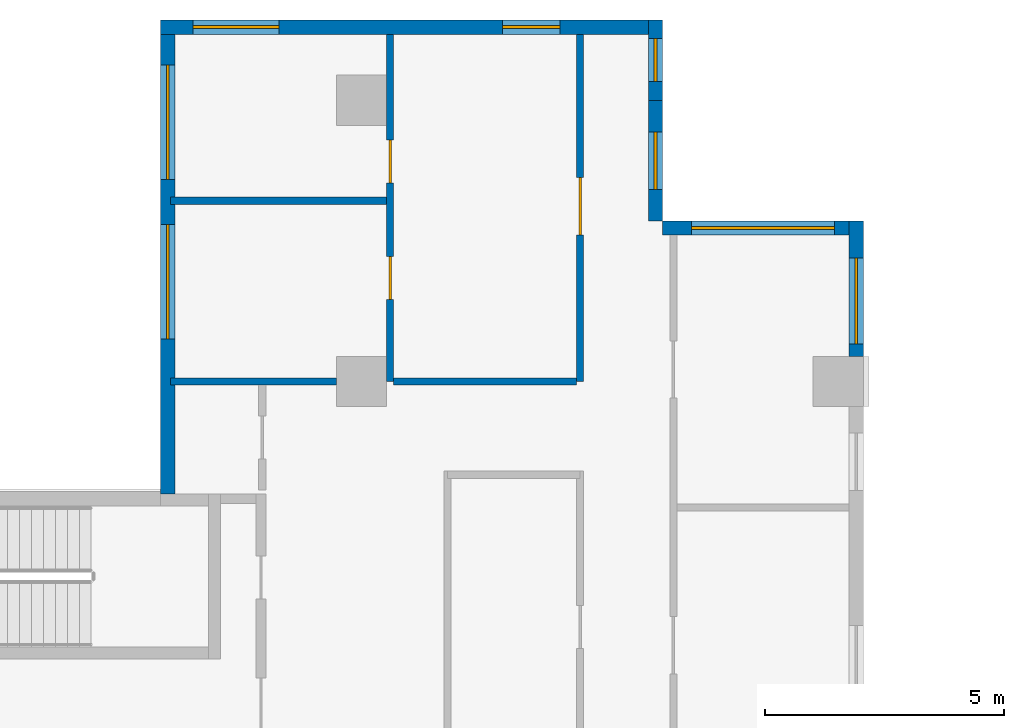
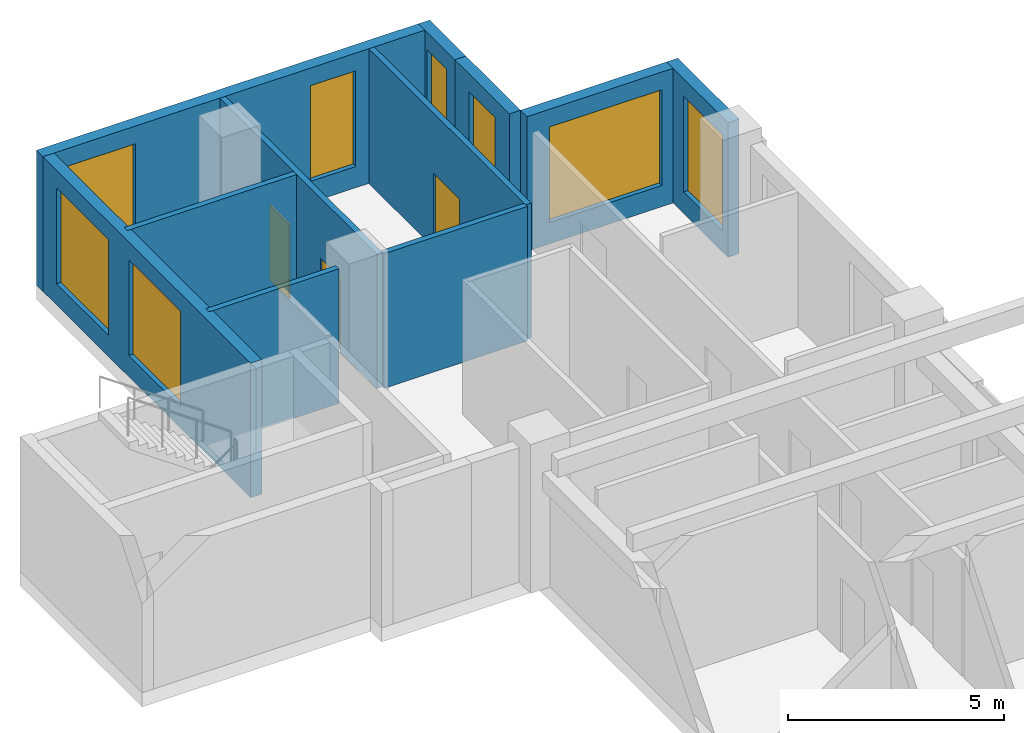
# One storey, part 7 of 14: 11 walls, 8 windows, 3 doors, 11 openings.
"""IFC4 building model written with IfcOpenShell, lengths in metres."""

from ifc_helpers import new_model, si_unit, direction, frame, frame_2d, origin, place, context, subcontext, project, spatial, rectangle, extrude, source, transform, mapped, material, layer, layer_set, type_object, element, fill, save


model = new_model("IFC4")

# Units and contexts
model_context = context("Model", 3, precision=1e-05, world=origin(), true_north=direction((0.0, 1.0)))
body_context = subcontext(model_context, "Body", "Model", "MODEL_VIEW")
ifc_project = project(units=[si_unit("LENGTHUNIT", "METRE"), si_unit("AREAUNIT", "SQUARE_METRE"), si_unit("VOLUMEUNIT", "CUBIC_METRE"), si_unit("PLANEANGLEUNIT", "RADIAN"), si_unit("MASSUNIT", "GRAM", prefix="KILO")], contexts=[model_context])

# Site, building, storey
site_placement = place(None, origin())
site = spatial("IfcSite", under=ifc_project, at=site_placement, CompositionType="ELEMENT")
building_placement = place(site_placement, origin())
building = spatial("IfcBuilding", under=site, at=building_placement, Name="Aurelian Terraces", CompositionType="ELEMENT")
storey_placement = place(building_placement, frame((0.0, 0.0, 128.7)))
storey = spatial("IfcBuildingStorey", under=building, at=storey_placement, Name="L28", CompositionType="ELEMENT", Elevation=128.7)

# Wall, opening, window
ifc_material_1 = material(Name="Terracotta rainscreen cladding", Category="masonry")
ifc_layer_1 = layer(ifc_material_1, 0.3)
ifc_layer_set_1 = layer_set([ifc_layer_1], Name="EW-300")
wall_type_1 = type_object("IfcWallType", Name="EW-300", PredefinedType="STANDARD", material=ifc_layer_set_1)
shared_shape_1 = source(origin(), body_context, "Body", "SweptSolid", [
    extrude(rectangle(XDim=4.2, YDim=0.3, at=frame_2d((2.1, 0.0))), origin(), (0.0, 0.0, 1.0), 3.8),
])
wall_1_placement = place(storey_placement, frame((21.0, 49.41, 0.0), z_axis=(0.0, 0.0, 1.0), x_axis=(-1.0, 0.0, 0.0)))
wall_1 = element("IfcWall", 1, at=wall_1_placement, inside=storey, type_object=wall_type_1, Name="External wall L28 F09.29", PredefinedType="STANDARD", context=body_context, shape_type="MappedRepresentation", body=[
    mapped(shared_shape_1, transform((0.0, 0.0, 0.0), scale=1.0)),
])
shared_shape_2 = source(origin(), body_context, "Body", "SweptSolid", [
    extrude(rectangle(XDim=3.0, YDim=2.7, at=frame_2d((1.5, 1.35))), frame((0.0, 0.16, 0.0), z_axis=(0.0, -1.0, 0.0), x_axis=(1.0, 0.0, 0.0)), (0.0, 0.0, 1.0), 0.32),
])
opening_1_placement = place(wall_1_placement, frame((0.6, 0.0, 0.6)))
opening_1 = element("IfcOpeningElement", 2, at=opening_1_placement, cuts=wall_1, Name="Opening W3027", PredefinedType="OPENING", context=body_context, shape_type="MappedRepresentation", body=[
    mapped(shared_shape_2, transform((0.0, 0.0, 0.0), scale=1.0)),
])
ifc_material_2 = material(Name="Clear glazing", Category="glass")
window_type_1 = type_object("IfcWindowType", Name="W-3000x2700", PartitioningType="SINGLE_PANEL", PredefinedType="WINDOW", material=ifc_material_2)
shared_shape_3 = source(origin(), body_context, "Body", "SweptSolid", [
    extrude(rectangle(XDim=3.0, YDim=2.7, at=frame_2d((1.5, 1.35))), frame((0.0, 0.03, 0.0), z_axis=(0.0, -1.0, 0.0), x_axis=(1.0, 0.0, 0.0)), (0.0, 0.0, 1.0), 0.06),
])
window_1_placement = place(opening_1_placement, origin())
window_1 = element("IfcWindow", 3, at=window_1_placement, inside=storey, type_object=window_type_1, Name="Window L28 L28-F09-29-0", OverallHeight=2.7, OverallWidth=3.0, PartitioningType="SINGLE_PANEL", PredefinedType="WINDOW", context=body_context, shape_type="MappedRepresentation", body=[
    mapped(shared_shape_3, transform((0.0, 0.0, 0.0), scale=1.0)),
])
fill(opening_1, window_1)

shared_shape_4 = source(origin(), body_context, "Body", "SweptSolid", [
    extrude(rectangle(XDim=2.52, YDim=0.3, at=frame_2d((1.26, 0.0))), origin(), (0.0, 0.0, 1.0), 3.8),
])
wall_2_placement = place(storey_placement, frame((16.65, 49.56, 0.0), z_axis=(0.0, 0.0, 1.0), x_axis=(0.0, 1.0, 0.0)))
wall_2 = element("IfcWall", 4, at=wall_2_placement, inside=storey, type_object=wall_type_1, Name="External wall L28 F10.30", PredefinedType="STANDARD", context=body_context, shape_type="MappedRepresentation", body=[
    mapped(shared_shape_4, transform((0.0, 0.0, 0.0), scale=1.0)),
])
shared_shape_5 = source(origin(), body_context, "Body", "SweptSolid", [
    extrude(rectangle(XDim=1.2, YDim=2.7, at=frame_2d((0.6, 1.35))), frame((0.0, 0.16, 0.0), z_axis=(0.0, -1.0, 0.0), x_axis=(1.0, 0.0, 0.0)), (0.0, 0.0, 1.0), 0.32),
])
opening_2_placement = place(wall_2_placement, frame((0.66, 0.0, 0.6)))
opening_2 = element("IfcOpeningElement", 5, at=opening_2_placement, cuts=wall_2, Name="Opening W1227", PredefinedType="OPENING", context=body_context, shape_type="MappedRepresentation", body=[
    mapped(shared_shape_5, transform((0.0, 0.0, 0.0), scale=1.0)),
])
window_type_2 = type_object("IfcWindowType", Name="W-1200x2700", PartitioningType="SINGLE_PANEL", PredefinedType="WINDOW", material=ifc_material_2)
shared_shape_6 = source(origin(), body_context, "Body", "SweptSolid", [
    extrude(rectangle(XDim=1.2, YDim=2.7, at=frame_2d((0.6, 1.35))), frame((0.0, 0.03, 0.0), z_axis=(0.0, -1.0, 0.0), x_axis=(1.0, 0.0, 0.0)), (0.0, 0.0, 1.0), 0.06),
])
window_2_placement = place(opening_2_placement, origin())
window_2 = element("IfcWindow", 6, at=window_2_placement, inside=storey, type_object=window_type_2, Name="Window L28 L28-F10-30-0", OverallHeight=2.7, OverallWidth=1.2, PartitioningType="SINGLE_PANEL", PredefinedType="WINDOW", context=body_context, shape_type="MappedRepresentation", body=[
    mapped(shared_shape_6, transform((0.0, 0.0, 0.0), scale=1.0)),
])
fill(opening_2, window_2)

shared_shape_7 = source(origin(), body_context, "Body", "SweptSolid", [
    extrude(rectangle(XDim=1.68, YDim=0.3, at=frame_2d((0.84, 0.0))), origin(), (0.0, 0.0, 1.0), 3.8),
])
wall_3_placement = place(storey_placement, frame((16.65, 52.08, 0.0), z_axis=(0.0, 0.0, 1.0), x_axis=(0.0, 1.0, 0.0)))
wall_3 = element("IfcWall", 7, at=wall_3_placement, inside=storey, type_object=wall_type_1, Name="External wall L28 F10.31", PredefinedType="STANDARD", context=body_context, shape_type="MappedRepresentation", body=[
    mapped(shared_shape_7, transform((0.0, 0.0, 0.0), scale=1.0)),
])
shared_shape_8 = source(origin(), body_context, "Body", "SweptSolid", [
    extrude(rectangle(XDim=0.9, YDim=2.7, at=frame_2d((0.45, 1.35))), frame((0.0, 0.16, 0.0), z_axis=(0.0, -1.0, 0.0), x_axis=(1.0, 0.0, 0.0)), (0.0, 0.0, 1.0), 0.32),
])
opening_3_placement = place(wall_3_placement, frame((0.39, 0.0, 0.6)))
opening_3 = element("IfcOpeningElement", 8, at=opening_3_placement, cuts=wall_3, Name="Opening W0927", PredefinedType="OPENING", context=body_context, shape_type="MappedRepresentation", body=[
    mapped(shared_shape_8, transform((0.0, 0.0, 0.0), scale=1.0)),
])
window_type_3 = type_object("IfcWindowType", Name="W-900x2700", PartitioningType="SINGLE_PANEL", PredefinedType="WINDOW", material=ifc_material_2)
shared_shape_9 = source(origin(), body_context, "Body", "SweptSolid", [
    extrude(rectangle(XDim=0.9, YDim=2.7, at=frame_2d((0.45, 1.35))), frame((0.0, 0.03, 0.0), z_axis=(0.0, -1.0, 0.0), x_axis=(1.0, 0.0, 0.0)), (0.0, 0.0, 1.0), 0.06),
])
window_3_placement = place(opening_3_placement, origin())
window_3 = element("IfcWindow", 9, at=window_3_placement, inside=storey, type_object=window_type_3, Name="Window L28 L28-F10-31-P0", OverallHeight=2.7, OverallWidth=0.9, PartitioningType="SINGLE_PANEL", PredefinedType="WINDOW", context=body_context, shape_type="MappedRepresentation", body=[
    mapped(shared_shape_9, transform((0.0, 0.0, 0.0), scale=1.0)),
])
fill(opening_3, window_3)

shared_shape_10 = source(origin(), body_context, "Body", "SweptSolid", [
    extrude(rectangle(XDim=2.835, YDim=0.3, at=frame_2d((1.4175, 0.0))), origin(), (0.0, 0.0, 1.0), 3.8),
])
wall_4_placement = place(storey_placement, frame((20.85, 46.725, 0.0), z_axis=(0.0, 0.0, 1.0), x_axis=(0.0, 1.0, 0.0)))
wall_4 = element("IfcWall", 10, at=wall_4_placement, inside=storey, type_object=wall_type_1, Name="External wall L28 F08.28", PredefinedType="STANDARD", context=body_context, shape_type="MappedRepresentation", body=[
    mapped(shared_shape_10, transform((0.0, 0.0, 0.0), scale=1.0)),
])
shared_shape_11 = source(origin(), body_context, "Body", "SweptSolid", [
    extrude(rectangle(XDim=1.8, YDim=2.7, at=frame_2d((0.9, 1.35))), frame((0.0, 0.16, 0.0), z_axis=(0.0, -1.0, 0.0), x_axis=(1.0, 0.0, 0.0)), (0.0, 0.0, 1.0), 0.32),
])
opening_4_placement = place(wall_4_placement, frame((0.255, 0.0, 0.6)))
opening_4 = element("IfcOpeningElement", 11, at=opening_4_placement, cuts=wall_4, Name="Opening W1827", PredefinedType="OPENING", context=body_context, shape_type="MappedRepresentation", body=[
    mapped(shared_shape_11, transform((0.0, 0.0, 0.0), scale=1.0)),
])
window_type_4 = type_object("IfcWindowType", Name="W-1800x2700", PartitioningType="SINGLE_PANEL", PredefinedType="WINDOW", material=ifc_material_2)
shared_shape_12 = source(origin(), body_context, "Body", "SweptSolid", [
    extrude(rectangle(XDim=1.8, YDim=2.7, at=frame_2d((0.9, 1.35))), frame((0.0, 0.03, 0.0), z_axis=(0.0, -1.0, 0.0), x_axis=(1.0, 0.0, 0.0)), (0.0, 0.0, 1.0), 0.06),
])
window_4_placement = place(opening_4_placement, origin())
window_4 = element("IfcWindow", 12, at=window_4_placement, inside=storey, type_object=window_type_4, Name="Window L28 L28-F08-28-0", OverallHeight=2.7, OverallWidth=1.8, PartitioningType="SINGLE_PANEL", PredefinedType="WINDOW", context=body_context, shape_type="MappedRepresentation", body=[
    mapped(shared_shape_12, transform((0.0, 0.0, 0.0), scale=1.0)),
])
fill(opening_4, window_4)

# Wall, openings, windows
shared_shape_13 = source(origin(), body_context, "Body", "SweptSolid", [
    extrude(rectangle(XDim=10.5, YDim=0.3, at=frame_2d((5.25, 0.0))), origin(), (0.0, 0.0, 1.0), 3.8),
])
wall_5_placement = place(storey_placement, frame((16.8, 53.61, 0.0), z_axis=(0.0, 0.0, 1.0), x_axis=(-1.0, 0.0, 0.0)))
wall_5 = element("IfcWall", 13, at=wall_5_placement, inside=storey, type_object=wall_type_1, Name="External wall L28 F11.32", PredefinedType="STANDARD", context=body_context, shape_type="MappedRepresentation", body=[
    mapped(shared_shape_13, transform((0.0, 0.0, 0.0), scale=1.0)),
])
opening_5_placement = place(wall_5_placement, frame((2.15, 0.0, 0.6)))
opening_5 = element("IfcOpeningElement", 14, at=opening_5_placement, cuts=wall_5, Name="Opening W1227", PredefinedType="OPENING", context=body_context, shape_type="MappedRepresentation", body=[
    mapped(shared_shape_5, transform((0.0, 0.0, 0.0), scale=1.0)),
])
opening_6_placement = place(wall_5_placement, frame((8.025, 0.0, 0.6)))
opening_6 = element("IfcOpeningElement", 15, at=opening_6_placement, cuts=wall_5, Name="Opening W1827", PredefinedType="OPENING", context=body_context, shape_type="MappedRepresentation", body=[
    mapped(shared_shape_11, transform((0.0, 0.0, 0.0), scale=1.0)),
])
window_5_placement = place(opening_6_placement, origin())
window_5 = element("IfcWindow", 16, at=window_5_placement, inside=storey, type_object=window_type_4, Name="Window L28 L28-F11-32-2", OverallHeight=2.7, OverallWidth=1.8, PartitioningType="SINGLE_PANEL", PredefinedType="WINDOW", context=body_context, shape_type="MappedRepresentation", body=[
    mapped(shared_shape_12, transform((0.0, 0.0, 0.0), scale=1.0)),
])
fill(opening_6, window_5)
window_6_placement = place(opening_5_placement, origin())
window_6 = element("IfcWindow", 17, at=window_6_placement, inside=storey, type_object=window_type_2, Name="Window L28 L28-F11-32-0", OverallHeight=2.7, OverallWidth=1.2, PartitioningType="SINGLE_PANEL", PredefinedType="WINDOW", context=body_context, shape_type="MappedRepresentation", body=[
    mapped(shared_shape_6, transform((0.0, 0.0, 0.0), scale=1.0)),
])
fill(opening_5, window_6)

shared_shape_14 = source(origin(), body_context, "Body", "SweptSolid", [
    extrude(rectangle(XDim=9.91, YDim=0.3, at=frame_2d((4.955, 0.0))), origin(), (0.0, 0.0, 1.0), 3.8),
])
wall_6_placement = place(storey_placement, frame((6.45, 53.76, 0.0), z_axis=(0.0, 0.0, 1.0), x_axis=(0.0, -1.0, 0.0)))
wall_6 = element("IfcWall", 18, at=wall_6_placement, inside=storey, type_object=wall_type_1, Name="External wall L28 F12.33", PredefinedType="STANDARD", context=body_context, shape_type="MappedRepresentation", body=[
    mapped(shared_shape_14, transform((0.0, 0.0, 0.0), scale=1.0)),
])
shared_shape_15 = source(origin(), body_context, "Body", "SweptSolid", [
    extrude(rectangle(XDim=2.4, YDim=2.7, at=frame_2d((1.2, 1.35))), frame((0.0, 0.16, 0.0), z_axis=(0.0, -1.0, 0.0), x_axis=(1.0, 0.0, 0.0)), (0.0, 0.0, 1.0), 0.32),
])
opening_7_placement = place(wall_6_placement, frame((4.2725, 0.0, 0.6)))
opening_7 = element("IfcOpeningElement", 19, at=opening_7_placement, cuts=wall_6, Name="Opening W2427", PredefinedType="OPENING", context=body_context, shape_type="MappedRepresentation", body=[
    mapped(shared_shape_15, transform((0.0, 0.0, 0.0), scale=1.0)),
])
opening_8_placement = place(wall_6_placement, frame((0.9363, 0.0, 0.6)))
opening_8 = element("IfcOpeningElement", 20, at=opening_8_placement, cuts=wall_6, Name="Opening W2427", PredefinedType="OPENING", context=body_context, shape_type="MappedRepresentation", body=[
    mapped(shared_shape_15, transform((0.0, 0.0, 0.0), scale=1.0)),
])
window_type_5 = type_object("IfcWindowType", Name="W-2400x2700", PartitioningType="SINGLE_PANEL", PredefinedType="WINDOW", material=ifc_material_2)
shared_shape_16 = source(origin(), body_context, "Body", "SweptSolid", [
    extrude(rectangle(XDim=2.4, YDim=2.7, at=frame_2d((1.2, 1.35))), frame((0.0, 0.03, 0.0), z_axis=(0.0, -1.0, 0.0), x_axis=(1.0, 0.0, 0.0)), (0.0, 0.0, 1.0), 0.06),
])
window_7_placement = place(opening_7_placement, origin())
window_7 = element("IfcWindow", 21, at=window_7_placement, inside=storey, type_object=window_type_5, Name="Window L28 L28-F12-33-1", OverallHeight=2.7, OverallWidth=2.4, PartitioningType="SINGLE_PANEL", PredefinedType="WINDOW", context=body_context, shape_type="MappedRepresentation", body=[
    mapped(shared_shape_16, transform((0.0, 0.0, 0.0), scale=1.0)),
])
fill(opening_7, window_7)
window_8_placement = place(opening_8_placement, origin())
window_8 = element("IfcWindow", 22, at=window_8_placement, inside=storey, type_object=window_type_5, Name="Window L28 L28-F12-33-G0-0", OverallHeight=2.7, OverallWidth=2.4, PartitioningType="SINGLE_PANEL", PredefinedType="WINDOW", context=body_context, shape_type="MappedRepresentation", body=[
    mapped(shared_shape_16, transform((0.0, 0.0, 0.0), scale=1.0)),
])
fill(opening_8, window_8)

# Wall, openings, doors
ifc_material_3 = material(Name="Gypsum board on steel studs", Category="steel")
ifc_layer_2 = layer(ifc_material_3, 0.15)
ifc_layer_set_2 = layer_set([ifc_layer_2], Name="Partition 150")
wall_type_2 = type_object("IfcWallType", Name="Partition 150", PredefinedType="PARTITIONING", material=ifc_layer_set_2)
shared_shape_17 = source(origin(), body_context, "Body", "SweptSolid", [
    extrude(rectangle(XDim=7.26, YDim=0.15, at=frame_2d((3.63, 0.0))), origin(), (0.0, 0.0, 1.0), 3.8),
])
wall_7_placement = place(storey_placement, frame((11.1, 46.2, 0.0), z_axis=(0.0, 0.0, 1.0), x_axis=(0.0, 1.0, 0.0)))
wall_7 = element("IfcWall", 23, at=wall_7_placement, inside=storey, type_object=wall_type_2, Name="Partition", PredefinedType="PARTITIONING", context=body_context, shape_type="MappedRepresentation", body=[
    mapped(shared_shape_17, transform((0.0, 0.0, 0.0), scale=1.0)),
])
shared_shape_18 = source(origin(), body_context, "Body", "SweptSolid", [
    extrude(rectangle(XDim=0.9, YDim=2.1, at=frame_2d((0.45, 1.05))), frame((0.0, 0.085, 0.0), z_axis=(0.0, -1.0, 0.0), x_axis=(1.0, 0.0, 0.0)), (0.0, 0.0, 1.0), 0.17),
])
opening_9_placement = place(wall_7_placement, frame((1.715, 0.0, 0.0)))
opening_9 = element("IfcOpeningElement", 24, at=opening_9_placement, cuts=wall_7, Name="Opening 728035", PredefinedType="OPENING", context=body_context, shape_type="MappedRepresentation", body=[
    mapped(shared_shape_18, transform((0.0, 0.0, 0.0), scale=1.0)),
])
opening_10_placement = place(wall_7_placement, frame((4.155, 0.0, 0.0)))
opening_10 = element("IfcOpeningElement", 25, at=opening_10_placement, cuts=wall_7, Name="Opening 728036", PredefinedType="OPENING", context=body_context, shape_type="MappedRepresentation", body=[
    mapped(shared_shape_18, transform((0.0, 0.0, 0.0), scale=1.0)),
])
ifc_material_4 = material(Name="Timber door leaf", Category="wood")
door_type_1 = type_object("IfcDoorType", Name="Room door 900x2100 left", OperationType="SINGLE_SWING_LEFT", PredefinedType="DOOR", material=ifc_material_4)
shared_shape_19 = source(origin(), body_context, "Body", "SweptSolid", [
    extrude(rectangle(XDim=0.9, YDim=2.1, at=frame_2d((0.45, 1.05))), frame((0.0, 0.025, 0.0), z_axis=(0.0, -1.0, 0.0), x_axis=(1.0, 0.0, 0.0)), (0.0, 0.0, 1.0), 0.05),
])
door_1_placement = place(opening_9_placement, origin())
door_1 = element("IfcDoor", 26, at=door_1_placement, inside=storey, type_object=door_type_1, Name="Door 728035", OperationType="SINGLE_SWING_LEFT", OverallHeight=2.1, OverallWidth=0.9, PredefinedType="DOOR", context=body_context, shape_type="MappedRepresentation", body=[
    mapped(shared_shape_19, transform((0.0, 0.0, 0.0), scale=1.0)),
])
fill(opening_9, door_1)
door_type_2 = type_object("IfcDoorType", Name="Room door 900x2100 right", OperationType="SINGLE_SWING_RIGHT", PredefinedType="DOOR", material=ifc_material_4)
door_2_placement = place(opening_10_placement, origin())
door_2 = element("IfcDoor", 27, at=door_2_placement, inside=storey, type_object=door_type_2, Name="Door 728036", OperationType="SINGLE_SWING_RIGHT", OverallHeight=2.1, OverallWidth=0.9, PredefinedType="DOOR", context=body_context, shape_type="MappedRepresentation", body=[
    mapped(shared_shape_19, transform((0.0, 0.0, 0.0), scale=1.0)),
])
fill(opening_10, door_2)

# Wall, opening, door
ifc_layer_3 = layer(ifc_material_3, 0.15)
ifc_layer_set_3 = layer_set([ifc_layer_3], Name="Fire partition 150")
wall_type_3 = type_object("IfcWallType", Name="Fire partition 150", PredefinedType="PARTITIONING", material=ifc_layer_set_3)
wall_8_placement = place(storey_placement, frame((15.075, 46.2, 0.0), z_axis=(0.0, 0.0, 1.0), x_axis=(0.0, 1.0, 0.0)))
wall_8 = element("IfcWall", 28, at=wall_8_placement, inside=storey, type_object=wall_type_3, Name="Corridor wall", PredefinedType="PARTITIONING", context=body_context, shape_type="MappedRepresentation", body=[
    mapped(shared_shape_17, transform((0.0, 0.0, 0.0), scale=1.0)),
])
shared_shape_20 = source(origin(), body_context, "Body", "SweptSolid", [
    extrude(rectangle(XDim=1.2, YDim=2.1, at=frame_2d((0.6, 1.05))), frame((0.0, 0.085, 0.0), z_axis=(0.0, -1.0, 0.0), x_axis=(1.0, 0.0, 0.0)), (0.0, 0.0, 1.0), 0.17),
])
opening_11_placement = place(wall_8_placement, frame((3.0675, 0.0, 0.0)))
opening_11 = element("IfcOpeningElement", 29, at=opening_11_placement, cuts=wall_8, Name="Opening 728034", PredefinedType="OPENING", context=body_context, shape_type="MappedRepresentation", body=[
    mapped(shared_shape_20, transform((0.0, 0.0, 0.0), scale=1.0)),
])
door_type_3 = type_object("IfcDoorType", Name="Room door 1200x2100 right", OperationType="SINGLE_SWING_RIGHT", PredefinedType="DOOR", material=ifc_material_4)
shared_shape_21 = source(origin(), body_context, "Body", "SweptSolid", [
    extrude(rectangle(XDim=1.2, YDim=2.1, at=frame_2d((0.6, 1.05))), frame((0.0, 0.025, 0.0), z_axis=(0.0, -1.0, 0.0), x_axis=(1.0, 0.0, 0.0)), (0.0, 0.0, 1.0), 0.05),
])
door_3_placement = place(opening_11_placement, origin())
door_3 = element("IfcDoor", 30, at=door_3_placement, inside=storey, type_object=door_type_3, Name="Door 728034", OperationType="SINGLE_SWING_RIGHT", OverallHeight=2.1, OverallWidth=1.2, PredefinedType="DOOR", context=body_context, shape_type="MappedRepresentation", body=[
    mapped(shared_shape_21, transform((0.0, 0.0, 0.0), scale=1.0)),
])
fill(opening_11, door_3)

# Walls
shared_shape_22 = source(origin(), body_context, "Body", "SweptSolid", [
    extrude(rectangle(XDim=3.825, YDim=0.15, at=frame_2d((1.9125, 0.0))), origin(), (0.0, 0.0, 1.0), 3.8),
])
wall_9_placement = place(storey_placement, frame((15.0, 46.2, 0.0), z_axis=(0.0, 0.0, 1.0), x_axis=(-1.0, 0.0, 0.0)))
element("IfcWall", 31, at=wall_9_placement, inside=storey, type_object=wall_type_2, Name="Partition", PredefinedType="PARTITIONING", context=body_context, shape_type="MappedRepresentation", body=[
    mapped(shared_shape_22, transform((0.0, 0.0, 0.0), scale=1.0)),
])
shared_shape_23 = source(origin(), body_context, "Body", "SweptSolid", [
    extrude(rectangle(XDim=3.471, YDim=0.15, at=frame_2d((1.7355, 0.0))), origin(), (0.0, 0.0, 1.0), 3.8),
])
wall_10_placement = place(storey_placement, frame((9.976, 46.2, 0.0), z_axis=(0.0, 0.0, 1.0), x_axis=(-1.0, 0.0, 0.0)))
element("IfcWall", 32, at=wall_10_placement, inside=storey, type_object=wall_type_2, Name="Partition", PredefinedType="PARTITIONING", context=body_context, shape_type="MappedRepresentation", body=[
    mapped(shared_shape_23, transform((0.0, 0.0, 0.0), scale=1.0)),
])
shared_shape_24 = source(origin(), body_context, "Body", "SweptSolid", [
    extrude(rectangle(XDim=4.52, YDim=0.15, at=frame_2d((2.26, 0.0))), origin(), (0.0, 0.0, 1.0), 3.8),
])
wall_11_placement = place(storey_placement, frame((11.025, 49.98, 0.0), z_axis=(0.0, 0.0, 1.0), x_axis=(-1.0, 0.0, 0.0)))
element("IfcWall", 33, at=wall_11_placement, inside=storey, type_object=wall_type_2, Name="Partition", PredefinedType="PARTITIONING", context=body_context, shape_type="MappedRepresentation", body=[
    mapped(shared_shape_24, transform((0.0, 0.0, 0.0), scale=1.0)),
])

save(model, "model.ifc")
